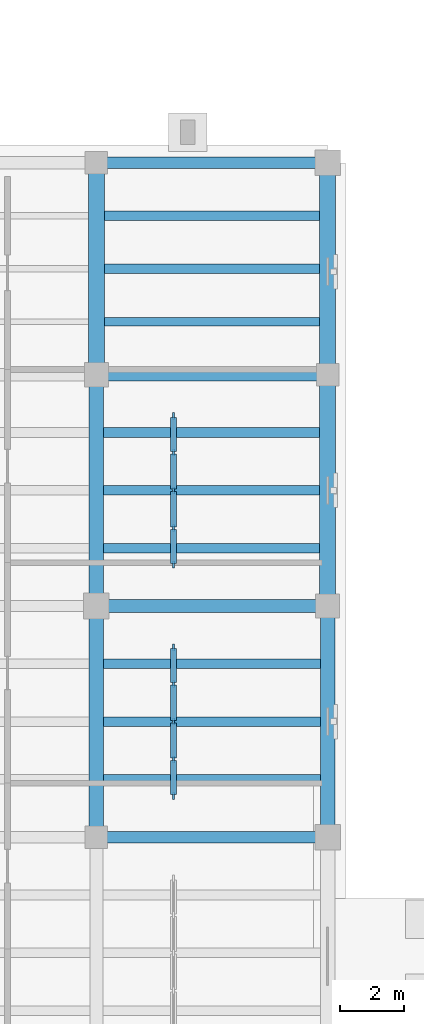
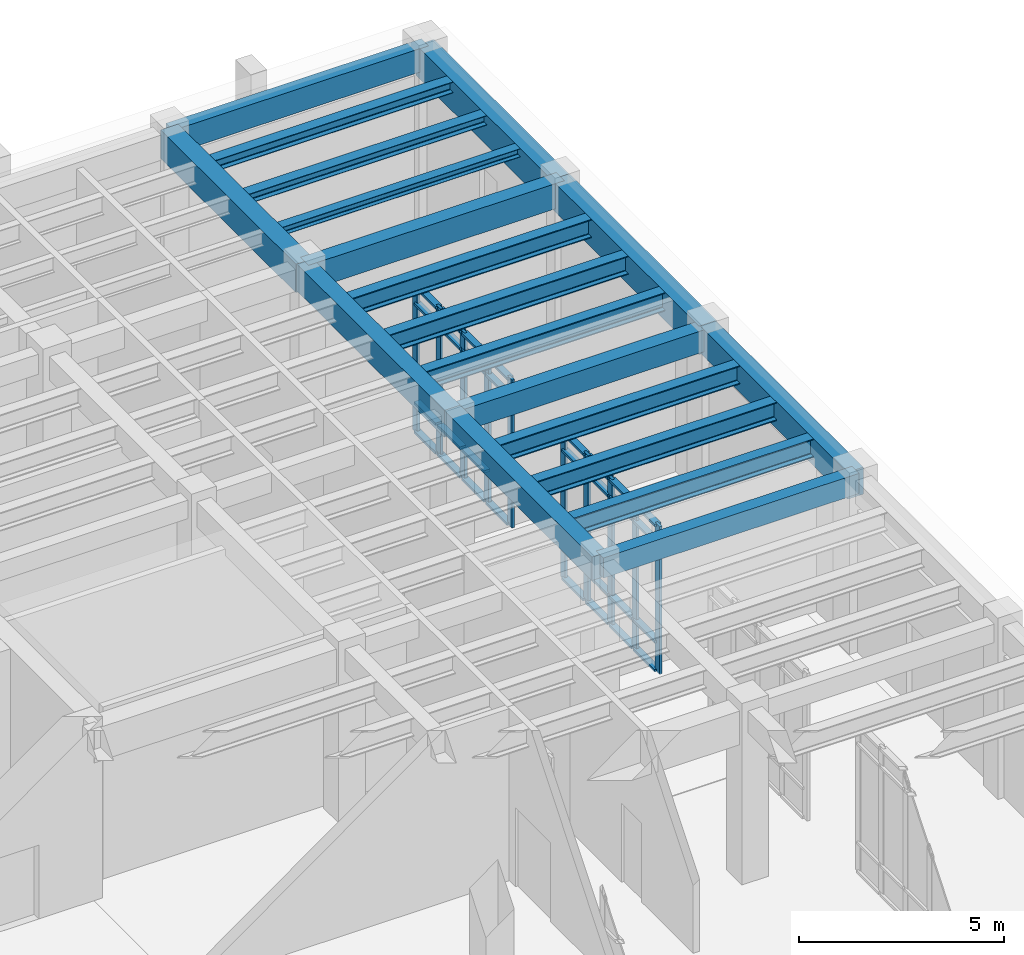
# One storey, part 48 of 100: 42 members, 19 beams, 2 elements without a shape of their own.
"""IFC4 building model written with IfcOpenShell, lengths in metres."""

from ifc_helpers import new_model, si_unit, direction, frame, origin, origin_2d, place, context, subcontext, project, spatial, rectangle, i_section, extrude, material, material_profile, profile_set, type_object, element, aggregate, save


model = new_model("IFC4")

# Units and contexts
model_context = context("Model", 3, precision=1e-05, world=origin(), true_north=direction((0.0, 1.0)))
body_context = subcontext(model_context, "Body", "Model", "MODEL_VIEW")
ifc_project = project(units=[si_unit("LENGTHUNIT", "METRE"), si_unit("AREAUNIT", "SQUARE_METRE"), si_unit("VOLUMEUNIT", "CUBIC_METRE"), si_unit("PLANEANGLEUNIT", "RADIAN"), si_unit("MASSUNIT", "GRAM", prefix="KILO")], contexts=[model_context])

# Site, building, storey
site_placement = place(None, origin())
site = spatial("IfcSite", under=ifc_project, at=site_placement, CompositionType="ELEMENT")
building_placement = place(site_placement, origin())
building = spatial("IfcBuilding", under=site, at=building_placement, Name="Mithqara Police Headquarters", CompositionType="ELEMENT")
storey_placement = place(building_placement, origin())
storey = spatial("IfcBuildingStorey", under=building, at=storey_placement, Name="L00", CompositionType="ELEMENT", Elevation=0.0)

# Beams
ifc_material_1 = material(Name="Steel S355JR", Category="steel")
ifc_material_profile_1 = material_profile(ifc_material_1, i_section(OverallWidth=0.300048828125, OverallDepth=0.550048828125, WebThickness=0.014892578125, FlangeThickness=0.029052734375, FilletRadius=0.027099609375, at=origin_2d()), Name="HEB 550")
ifc_profile_set_1 = profile_set([ifc_material_profile_1], Name="Steel S355JR")
beam_type_1 = type_object("IfcBeamType", Name="BEAM HEB550", PredefinedType="BEAM", material=ifc_profile_set_1)
for number, where, z_axis, x_axis, name in (
    (1, (159.22509765625, 94.800048828125, 4.844970703125), (1.0, 0.0, 0.0), (0.0, 1.0, 0.0), "L00 Composite Steel Joist 23-24/P.1"),
    (2, (159.22509765625, 96.60009765625, 4.844970703125), (1.0, 0.0, 0.0), (0.0, 1.0, 0.0), "L00 Composite Steel Joist 23-24/P.2"),
    (3, (159.22509765625, 98.39990234375, 4.844970703125), (1.0, 0.0, 0.0), (0.0, 1.0, 0.0), "L00 Composite Steel Joist 23-24/P.3"),
):
    element("IfcBeam", number, at=place(storey_placement, frame(where, z_axis=z_axis, x_axis=x_axis)), inside=storey, type_object=beam_type_1, Name=name, PredefinedType="BEAM", context=body_context, shape_type="SweptSolid", body=[
        extrude(i_section(OverallWidth=0.300048828125, OverallDepth=0.550048828125, WebThickness=0.014892578125, FlangeThickness=0.029052734375, FilletRadius=0.027099609375, at=origin_2d()), origin(), (0.0, 0.0, 1.0), 6.75),
    ])
for number, where, z_axis, x_axis, name in (
    (4, (159.22509765625, 102.0, 4.844970703125), (1.0, 0.0, 0.0), (0.0, 1.0, 0.0), "L00 Composite Steel Joist 23-24/Q.1"),
    (5, (159.22509765625, 103.800048828125, 4.844970703125), (1.0, 0.0, 0.0), (0.0, 1.0, 0.0), "L00 Composite Steel Joist 23-24/Q.2"),
    (6, (159.22509765625, 105.60009765625, 4.844970703125), (1.0, 0.0, 0.0), (0.0, 1.0, 0.0), "L00 Composite Steel Joist 23-24/Q.3"),
):
    element("IfcBeam", number, at=place(storey_placement, frame(where, z_axis=z_axis, x_axis=x_axis)), inside=storey, type_object=beam_type_1, Name=name, PredefinedType="BEAM", context=body_context, shape_type="SweptSolid", body=[
        extrude(i_section(OverallWidth=0.300048828125, OverallDepth=0.550048828125, WebThickness=0.014892578125, FlangeThickness=0.029052734375, FilletRadius=0.027099609375, at=origin_2d()), origin(), (0.0, 0.0, 1.0), 6.724853515625),
    ])
ifc_material_2 = material(Name="Concrete C40/50", Category="concrete")
ifc_material_profile_2 = material_profile(ifc_material_2, rectangle(XDim=0.35009765625, YDim=0.60009765625, at=origin_2d()), Name="RC 350x600")
ifc_profile_set_2 = profile_set([ifc_material_profile_2], Name="Concrete C40/50")
beam_type_2 = type_object("IfcBeamType", Name="BEAM RC350X600", PredefinedType="BEAM", material=ifc_profile_set_2)
beam_1_placement = place(storey_placement, frame((159.0, 93.0, 4.820068359375), z_axis=(1.0, 0.0, 0.0), x_axis=(0.0, 1.0, 0.0)))
element("IfcBeam", 7, at=beam_1_placement, inside=storey, type_object=beam_type_2, Name="L00 Girder 23-24/P", PredefinedType="BEAM", context=body_context, shape_type="SweptSolid", body=[
    extrude(rectangle(XDim=0.35009765625, YDim=0.60009765625, at=origin_2d()), origin(), (0.0, 0.0, 1.0), 7.199951171875),
])
ifc_material_profile_3 = material_profile(ifc_material_2, rectangle(XDim=0.39990234375, YDim=0.64990234375, at=origin_2d()), Name="RC 400x650")
ifc_profile_set_3 = profile_set([ifc_material_profile_3], Name="Concrete C40/50")
beam_type_3 = type_object("IfcBeamType", Name="BEAM RC400X650", PredefinedType="BEAM", material=ifc_profile_set_3)
beam_2_placement = place(storey_placement, frame((159.0, 100.199951171875, 4.794921875), z_axis=(1.0, 0.0, 0.0), x_axis=(0.0, 1.0, 0.0)))
element("IfcBeam", 8, at=beam_2_placement, inside=storey, type_object=beam_type_3, Name="L00 Girder 23-24/Q", PredefinedType="BEAM", context=body_context, shape_type="SweptSolid", body=[
    extrude(rectangle(XDim=0.39990234375, YDim=0.64990234375, at=origin_2d()), origin(), (0.0, 0.0, 1.0), 7.199951171875),
])
ifc_material_profile_4 = material_profile(ifc_material_2, rectangle(XDim=0.39990234375, YDim=0.75, at=origin_2d()), Name="RC 400x750")
ifc_profile_set_4 = profile_set([ifc_material_profile_4], Name="Concrete C40/50")
beam_type_4 = type_object("IfcBeamType", Name="BEAM RC400X750", PredefinedType="BEAM", material=ifc_profile_set_4)
beam_3_placement = place(storey_placement, frame((159.0, 107.39990234375, 4.7451171875), z_axis=(1.0, 0.0, 0.0), x_axis=(0.0, 1.0, 0.0)))
element("IfcBeam", 9, at=beam_3_placement, inside=storey, type_object=beam_type_4, Name="L00 Girder 23-24/R", PredefinedType="BEAM", context=body_context, shape_type="SweptSolid", body=[
    extrude(rectangle(XDim=0.39990234375, YDim=0.75, at=origin_2d()), origin(), (0.0, 0.0, 1.0), 7.199951171875),
])
ifc_material_profile_5 = material_profile(ifc_material_2, rectangle(XDim=0.449951171875, YDim=0.699951171875, at=origin_2d()), Name="RC 450x700")
ifc_profile_set_5 = profile_set([ifc_material_profile_5], Name="Concrete C40/50")
beam_type_5 = type_object("IfcBeamType", Name="BEAM RC450X700", PredefinedType="BEAM", material=ifc_profile_set_5)
beam_4_placement = place(storey_placement, frame((159.0, 93.0, 4.77001953125), z_axis=(0.0, 1.0, 0.0), x_axis=(-1.0, 0.0, 0.0)))
element("IfcBeam", 10, at=beam_4_placement, inside=storey, type_object=beam_type_5, Name="L00 Girder 23/P-Q", PredefinedType="BEAM", context=body_context, shape_type="SweptSolid", body=[
    extrude(rectangle(XDim=0.449951171875, YDim=0.699951171875, at=origin_2d()), origin(), (0.0, 0.0, 1.0), 7.199951171875),
])
ifc_material_profile_6 = material_profile(ifc_material_2, rectangle(XDim=0.449951171875, YDim=0.800048828125, at=origin_2d()), Name="RC 450x800")
ifc_profile_set_6 = profile_set([ifc_material_profile_6], Name="Concrete C40/50")
beam_type_6 = type_object("IfcBeamType", Name="BEAM RC450X800", PredefinedType="BEAM", material=ifc_profile_set_6)
for number, where, z_axis, x_axis, name in (
    (11, (159.0, 100.199951171875, 4.719970703125), (0.0, 1.0, 0.0), (-1.0, 0.0, 0.0), "L00 Girder 23/Q-R"),
    (12, (166.199951171875, 93.0, 4.719970703125), (0.0, 1.0, 0.0), (-1.0, 0.0, 0.0), "L00 Girder 24/P-Q"),
):
    element("IfcBeam", number, at=place(storey_placement, frame(where, z_axis=z_axis, x_axis=x_axis)), inside=storey, type_object=beam_type_6, Name=name, PredefinedType="BEAM", context=body_context, shape_type="SweptSolid", body=[
        extrude(rectangle(XDim=0.449951171875, YDim=0.800048828125, at=origin_2d()), origin(), (0.0, 0.0, 1.0), 7.199951171875),
    ])
ifc_material_profile_7 = material_profile(ifc_material_2, rectangle(XDim=0.5, YDim=0.85009765625, at=origin_2d()), Name="RC 500x850")
ifc_profile_set_7 = profile_set([ifc_material_profile_7], Name="Concrete C40/50")
beam_type_7 = type_object("IfcBeamType", Name="BEAM RC500X850", PredefinedType="BEAM", material=ifc_profile_set_7)
beam_5_placement = place(storey_placement, frame((159.0, 107.39990234375, 4.695068359375), z_axis=(0.0, 1.0, 0.0), x_axis=(-1.0, 0.0, 0.0)))
element("IfcBeam", 13, at=beam_5_placement, inside=storey, type_object=beam_type_7, Name="L00 Girder 23/R-S", PredefinedType="BEAM", context=body_context, shape_type="SweptSolid", body=[
    extrude(rectangle(XDim=0.5, YDim=0.85009765625, at=origin_2d()), origin(), (0.0, 0.0, 1.0), 6.60009765625),
])
beam_6_placement = place(storey_placement, frame((166.199951171875, 100.199951171875, 4.695068359375), z_axis=(0.0, 1.0, 0.0), x_axis=(-1.0, 0.0, 0.0)))
element("IfcBeam", 14, at=beam_6_placement, inside=storey, type_object=beam_type_7, Name="L00 Girder 24/Q-R", PredefinedType="BEAM", context=body_context, shape_type="SweptSolid", body=[
    extrude(rectangle(XDim=0.5, YDim=0.85009765625, at=origin_2d()), origin(), (0.0, 0.0, 1.0), 7.199951171875),
])
ifc_material_3 = material(Name="Concrete C50/60", Category="concrete")
ifc_material_profile_8 = material_profile(ifc_material_3, rectangle(XDim=0.5, YDim=0.89990234375, at=origin_2d()), Name="RC 500x900")
ifc_profile_set_8 = profile_set([ifc_material_profile_8], Name="Concrete C50/60")
beam_type_8 = type_object("IfcBeamType", Name="BEAM RC500X900", PredefinedType="BEAM", material=ifc_profile_set_8)
beam_7_placement = place(storey_placement, frame((166.199951171875, 107.39990234375, 4.669921875), z_axis=(0.0, 1.0, 0.0), x_axis=(-1.0, 0.0, 0.0)))
element("IfcBeam", 15, at=beam_7_placement, inside=storey, type_object=beam_type_8, Name="L00 Girder 24/R-S", PredefinedType="BEAM", context=body_context, shape_type="SweptSolid", body=[
    extrude(rectangle(XDim=0.5, YDim=0.89990234375, at=origin_2d()), origin(), (0.0, 0.0, 1.0), 6.60009765625),
])

# Curtain wall, members
ifc_material_4 = material(Name="Bronze anodised aluminium 6063-T6", Category="aluminium")
curtain_wall_type = type_object("IfcCurtainWallType", Name="CURTAIN WALL 4700X4400", PredefinedType="USERDEFINED", material=ifc_material_4)
curtain_wall_1_placement = place(storey_placement, origin())
curtain_wall_1 = element("IfcCurtainWall", 16, at=curtain_wall_1_placement, inside=storey, type_object=curtain_wall_type, Name="L00 Unitised Glazing CW-14 (CW-INT-L00-X22-Y13-0)", ObjectType="UNITISED GLAZING", PredefinedType="USERDEFINED")
ifc_material_profile_9 = material_profile(ifc_material_4, rectangle(XDim=0.074951171875, YDim=0.219970703125, at=origin_2d()), Name="CWM 75x220")
ifc_profile_set_9 = profile_set([ifc_material_profile_9], Name="Bronze anodised aluminium 6063-T6")
member_type_1 = type_object("IfcMemberType", Name="CWMULLION 75X220", PredefinedType="MULLION", material=ifc_profile_set_9)
member_1_placement = place(storey_placement, frame((161.39990234375, 94.28759765625, 0.0), z_axis=(0.0, 0.0, 1.0), x_axis=(-1.0, 0.0, 0.0)))
member_1 = element("IfcMember", 17, at=member_1_placement, type_object=member_type_1, Name="CW-14 mullion 1", PredefinedType="MULLION", context=body_context, shape_type="SweptSolid", body=[
    extrude(rectangle(XDim=0.074951171875, YDim=0.219970703125, at=origin_2d()), origin(), (0.0, 0.0, 1.0), 4.39990234375),
])
member_2_placement = place(storey_placement, frame((161.39990234375, 95.425048828125, 0.0), z_axis=(0.0, 0.0, 1.0), x_axis=(-1.0, 0.0, 0.0)))
member_2 = element("IfcMember", 18, at=member_2_placement, type_object=member_type_1, Name="CW-14 mullion 2", PredefinedType="MULLION", context=body_context, shape_type="SweptSolid", body=[
    extrude(rectangle(XDim=0.074951171875, YDim=0.219970703125, at=origin_2d()), origin(), (0.0, 0.0, 1.0), 4.39990234375),
])
member_3_placement = place(storey_placement, frame((161.39990234375, 96.60009765625, 0.0), z_axis=(0.0, 0.0, 1.0), x_axis=(-1.0, 0.0, 0.0)))
member_3 = element("IfcMember", 19, at=member_3_placement, type_object=member_type_1, Name="CW-14 mullion 3", PredefinedType="MULLION", context=body_context, shape_type="SweptSolid", body=[
    extrude(rectangle(XDim=0.074951171875, YDim=0.219970703125, at=origin_2d()), origin(), (0.0, 0.0, 1.0), 4.39990234375),
])
member_4_placement = place(storey_placement, frame((161.39990234375, 97.77490234375, 0.0), z_axis=(0.0, 0.0, 1.0), x_axis=(-1.0, 0.0, 0.0)))
member_4 = element("IfcMember", 20, at=member_4_placement, type_object=member_type_1, Name="CW-14 mullion 4", PredefinedType="MULLION", context=body_context, shape_type="SweptSolid", body=[
    extrude(rectangle(XDim=0.074951171875, YDim=0.219970703125, at=origin_2d()), origin(), (0.0, 0.0, 1.0), 4.39990234375),
])
member_5_placement = place(storey_placement, frame((161.39990234375, 98.91259765625, 0.0), z_axis=(0.0, 0.0, 1.0), x_axis=(-1.0, 0.0, 0.0)))
member_5 = element("IfcMember", 21, at=member_5_placement, type_object=member_type_1, Name="CW-14 mullion 5", PredefinedType="MULLION", context=body_context, shape_type="SweptSolid", body=[
    extrude(rectangle(XDim=0.074951171875, YDim=0.219970703125, at=origin_2d()), origin(), (0.0, 0.0, 1.0), 4.39990234375),
])

curtain_wall_2_placement = place(storey_placement, origin())
curtain_wall_2 = element("IfcCurtainWall", 22, at=curtain_wall_2_placement, inside=storey, type_object=curtain_wall_type, Name="L00 Unitised Glazing CW-14 (CW-INT-L00-X22-Y14-0)", ObjectType="UNITISED GLAZING", PredefinedType="USERDEFINED")
member_6_placement = place(storey_placement, frame((161.39990234375, 101.487548828125, 0.0), z_axis=(0.0, 0.0, 1.0), x_axis=(-1.0, 0.0, 0.0)))
member_6 = element("IfcMember", 23, at=member_6_placement, type_object=member_type_1, Name="CW-14 mullion 1", PredefinedType="MULLION", context=body_context, shape_type="SweptSolid", body=[
    extrude(rectangle(XDim=0.074951171875, YDim=0.219970703125, at=origin_2d()), origin(), (0.0, 0.0, 1.0), 4.39990234375),
])
member_7_placement = place(storey_placement, frame((161.39990234375, 102.625, 0.0), z_axis=(0.0, 0.0, 1.0), x_axis=(-1.0, 0.0, 0.0)))
member_7 = element("IfcMember", 24, at=member_7_placement, type_object=member_type_1, Name="CW-14 mullion 2", PredefinedType="MULLION", context=body_context, shape_type="SweptSolid", body=[
    extrude(rectangle(XDim=0.074951171875, YDim=0.219970703125, at=origin_2d()), origin(), (0.0, 0.0, 1.0), 4.39990234375),
])
member_8_placement = place(storey_placement, frame((161.39990234375, 103.800048828125, 0.0), z_axis=(0.0, 0.0, 1.0), x_axis=(-1.0, 0.0, 0.0)))
member_8 = element("IfcMember", 25, at=member_8_placement, type_object=member_type_1, Name="CW-14 mullion 3", PredefinedType="MULLION", context=body_context, shape_type="SweptSolid", body=[
    extrude(rectangle(XDim=0.074951171875, YDim=0.219970703125, at=origin_2d()), origin(), (0.0, 0.0, 1.0), 4.39990234375),
])
member_9_placement = place(storey_placement, frame((161.39990234375, 104.97509765625, 0.0), z_axis=(0.0, 0.0, 1.0), x_axis=(-1.0, 0.0, 0.0)))
member_9 = element("IfcMember", 26, at=member_9_placement, type_object=member_type_1, Name="CW-14 mullion 4", PredefinedType="MULLION", context=body_context, shape_type="SweptSolid", body=[
    extrude(rectangle(XDim=0.074951171875, YDim=0.219970703125, at=origin_2d()), origin(), (0.0, 0.0, 1.0), 4.39990234375),
])
member_10_placement = place(storey_placement, frame((161.39990234375, 106.112548828125, 0.0), z_axis=(0.0, 0.0, 1.0), x_axis=(-1.0, 0.0, 0.0)))
member_10 = element("IfcMember", 27, at=member_10_placement, type_object=member_type_1, Name="CW-14 mullion 5", PredefinedType="MULLION", context=body_context, shape_type="SweptSolid", body=[
    extrude(rectangle(XDim=0.074951171875, YDim=0.219970703125, at=origin_2d()), origin(), (0.0, 0.0, 1.0), 4.39990234375),
])

# Member
ifc_material_profile_10 = material_profile(ifc_material_4, rectangle(XDim=0.179931640625, YDim=0.074951171875, at=origin_2d()), Name="CWT 180x75")
ifc_profile_set_10 = profile_set([ifc_material_profile_10], Name="Bronze anodised aluminium 6063-T6")
member_type_2 = type_object("IfcMemberType", Name="CWTRANSOM 180X75", PredefinedType="USERDEFINED", material=ifc_profile_set_10)
member_11_placement = place(storey_placement, frame((161.39990234375, 94.324951171875, 0.03759765625), z_axis=(0.0, 1.0, 0.0), x_axis=(-1.0, 0.0, 0.0)))
member_11 = element("IfcMember", 28, at=member_11_placement, type_object=member_type_2, Name="CW-14 transom 1.1", ObjectType="TRANSOM", PredefinedType="USERDEFINED", context=body_context, shape_type="SweptSolid", body=[
    extrude(rectangle(XDim=0.179931640625, YDim=0.074951171875, at=origin_2d()), origin(), (0.0, 0.0, 1.0), 1.0625),
])

member_12_placement = place(storey_placement, frame((161.39990234375, 94.324951171875, 0.89990234375), z_axis=(0.0, 1.0, 0.0), x_axis=(-1.0, 0.0, 0.0)))
member_12 = element("IfcMember", 29, at=member_12_placement, type_object=member_type_2, Name="CW-14 transom 1.2", ObjectType="TRANSOM", PredefinedType="USERDEFINED", context=body_context, shape_type="SweptSolid", body=[
    extrude(rectangle(XDim=0.179931640625, YDim=0.074951171875, at=origin_2d()), origin(), (0.0, 0.0, 1.0), 1.0625),
])

member_13_placement = place(storey_placement, frame((161.39990234375, 94.324951171875, 3.85009765625), z_axis=(0.0, 1.0, 0.0), x_axis=(-1.0, 0.0, 0.0)))
member_13 = element("IfcMember", 30, at=member_13_placement, type_object=member_type_2, Name="CW-14 transom 1.3", ObjectType="TRANSOM", PredefinedType="USERDEFINED", context=body_context, shape_type="SweptSolid", body=[
    extrude(rectangle(XDim=0.179931640625, YDim=0.074951171875, at=origin_2d()), origin(), (0.0, 0.0, 1.0), 1.0625),
])

member_14_placement = place(storey_placement, frame((161.39990234375, 94.324951171875, 4.362548828125), z_axis=(0.0, 1.0, 0.0), x_axis=(-1.0, 0.0, 0.0)))
member_14 = element("IfcMember", 31, at=member_14_placement, type_object=member_type_2, Name="CW-14 transom 1.4", ObjectType="TRANSOM", PredefinedType="USERDEFINED", context=body_context, shape_type="SweptSolid", body=[
    extrude(rectangle(XDim=0.179931640625, YDim=0.074951171875, at=origin_2d()), origin(), (0.0, 0.0, 1.0), 1.0625),
])

member_15_placement = place(storey_placement, frame((161.39990234375, 95.46240234375, 0.03759765625), z_axis=(0.0, 1.0, 0.0), x_axis=(-1.0, 0.0, 0.0)))
member_15 = element("IfcMember", 32, at=member_15_placement, type_object=member_type_2, Name="CW-14 transom 2.1", ObjectType="TRANSOM", PredefinedType="USERDEFINED", context=body_context, shape_type="SweptSolid", body=[
    extrude(rectangle(XDim=0.179931640625, YDim=0.074951171875, at=origin_2d()), origin(), (0.0, 0.0, 1.0), 1.10009765625),
])

member_16_placement = place(storey_placement, frame((161.39990234375, 95.46240234375, 0.89990234375), z_axis=(0.0, 1.0, 0.0), x_axis=(-1.0, 0.0, 0.0)))
member_16 = element("IfcMember", 33, at=member_16_placement, type_object=member_type_2, Name="CW-14 transom 2.2", ObjectType="TRANSOM", PredefinedType="USERDEFINED", context=body_context, shape_type="SweptSolid", body=[
    extrude(rectangle(XDim=0.179931640625, YDim=0.074951171875, at=origin_2d()), origin(), (0.0, 0.0, 1.0), 1.10009765625),
])

member_17_placement = place(storey_placement, frame((161.39990234375, 95.46240234375, 3.85009765625), z_axis=(0.0, 1.0, 0.0), x_axis=(-1.0, 0.0, 0.0)))
member_17 = element("IfcMember", 34, at=member_17_placement, type_object=member_type_2, Name="CW-14 transom 2.3", ObjectType="TRANSOM", PredefinedType="USERDEFINED", context=body_context, shape_type="SweptSolid", body=[
    extrude(rectangle(XDim=0.179931640625, YDim=0.074951171875, at=origin_2d()), origin(), (0.0, 0.0, 1.0), 1.10009765625),
])

member_18_placement = place(storey_placement, frame((161.39990234375, 95.46240234375, 4.362548828125), z_axis=(0.0, 1.0, 0.0), x_axis=(-1.0, 0.0, 0.0)))
member_18 = element("IfcMember", 35, at=member_18_placement, type_object=member_type_2, Name="CW-14 transom 2.4", ObjectType="TRANSOM", PredefinedType="USERDEFINED", context=body_context, shape_type="SweptSolid", body=[
    extrude(rectangle(XDim=0.179931640625, YDim=0.074951171875, at=origin_2d()), origin(), (0.0, 0.0, 1.0), 1.10009765625),
])

member_19_placement = place(storey_placement, frame((161.39990234375, 96.637451171875, 0.03759765625), z_axis=(0.0, 1.0, 0.0), x_axis=(-1.0, 0.0, 0.0)))
member_19 = element("IfcMember", 36, at=member_19_placement, type_object=member_type_2, Name="CW-14 transom 3.1", ObjectType="TRANSOM", PredefinedType="USERDEFINED", context=body_context, shape_type="SweptSolid", body=[
    extrude(rectangle(XDim=0.179931640625, YDim=0.074951171875, at=origin_2d()), origin(), (0.0, 0.0, 1.0), 1.10009765625),
])

member_20_placement = place(storey_placement, frame((161.39990234375, 96.637451171875, 0.89990234375), z_axis=(0.0, 1.0, 0.0), x_axis=(-1.0, 0.0, 0.0)))
member_20 = element("IfcMember", 37, at=member_20_placement, type_object=member_type_2, Name="CW-14 transom 3.2", ObjectType="TRANSOM", PredefinedType="USERDEFINED", context=body_context, shape_type="SweptSolid", body=[
    extrude(rectangle(XDim=0.179931640625, YDim=0.074951171875, at=origin_2d()), origin(), (0.0, 0.0, 1.0), 1.10009765625),
])

member_21_placement = place(storey_placement, frame((161.39990234375, 96.637451171875, 3.85009765625), z_axis=(0.0, 1.0, 0.0), x_axis=(-1.0, 0.0, 0.0)))
member_21 = element("IfcMember", 38, at=member_21_placement, type_object=member_type_2, Name="CW-14 transom 3.3", ObjectType="TRANSOM", PredefinedType="USERDEFINED", context=body_context, shape_type="SweptSolid", body=[
    extrude(rectangle(XDim=0.179931640625, YDim=0.074951171875, at=origin_2d()), origin(), (0.0, 0.0, 1.0), 1.10009765625),
])

member_22_placement = place(storey_placement, frame((161.39990234375, 96.637451171875, 4.362548828125), z_axis=(0.0, 1.0, 0.0), x_axis=(-1.0, 0.0, 0.0)))
member_22 = element("IfcMember", 39, at=member_22_placement, type_object=member_type_2, Name="CW-14 transom 3.4", ObjectType="TRANSOM", PredefinedType="USERDEFINED", context=body_context, shape_type="SweptSolid", body=[
    extrude(rectangle(XDim=0.179931640625, YDim=0.074951171875, at=origin_2d()), origin(), (0.0, 0.0, 1.0), 1.10009765625),
])

member_23_placement = place(storey_placement, frame((161.39990234375, 97.8125, 0.03759765625), z_axis=(0.0, 1.0, 0.0), x_axis=(-1.0, 0.0, 0.0)))
member_23 = element("IfcMember", 40, at=member_23_placement, type_object=member_type_2, Name="CW-14 transom 4.1", ObjectType="TRANSOM", PredefinedType="USERDEFINED", context=body_context, shape_type="SweptSolid", body=[
    extrude(rectangle(XDim=0.179931640625, YDim=0.074951171875, at=origin_2d()), origin(), (0.0, 0.0, 1.0), 1.0625),
])

member_24_placement = place(storey_placement, frame((161.39990234375, 97.8125, 0.89990234375), z_axis=(0.0, 1.0, 0.0), x_axis=(-1.0, 0.0, 0.0)))
member_24 = element("IfcMember", 41, at=member_24_placement, type_object=member_type_2, Name="CW-14 transom 4.2", ObjectType="TRANSOM", PredefinedType="USERDEFINED", context=body_context, shape_type="SweptSolid", body=[
    extrude(rectangle(XDim=0.179931640625, YDim=0.074951171875, at=origin_2d()), origin(), (0.0, 0.0, 1.0), 1.0625),
])

member_25_placement = place(storey_placement, frame((161.39990234375, 97.8125, 3.85009765625), z_axis=(0.0, 1.0, 0.0), x_axis=(-1.0, 0.0, 0.0)))
member_25 = element("IfcMember", 42, at=member_25_placement, type_object=member_type_2, Name="CW-14 transom 4.3", ObjectType="TRANSOM", PredefinedType="USERDEFINED", context=body_context, shape_type="SweptSolid", body=[
    extrude(rectangle(XDim=0.179931640625, YDim=0.074951171875, at=origin_2d()), origin(), (0.0, 0.0, 1.0), 1.0625),
])

member_26_placement = place(storey_placement, frame((161.39990234375, 97.8125, 4.362548828125), z_axis=(0.0, 1.0, 0.0), x_axis=(-1.0, 0.0, 0.0)))
member_26 = element("IfcMember", 43, at=member_26_placement, type_object=member_type_2, Name="CW-14 transom 4.4", ObjectType="TRANSOM", PredefinedType="USERDEFINED", context=body_context, shape_type="SweptSolid", body=[
    extrude(rectangle(XDim=0.179931640625, YDim=0.074951171875, at=origin_2d()), origin(), (0.0, 0.0, 1.0), 1.0625),
])

aggregate(curtain_wall_1, [member_1, member_2, member_3, member_4, member_5, member_11, member_12, member_13, member_14, member_15, member_16, member_17, member_18, member_19, member_20, member_21, member_22, member_23, member_24, member_25, member_26])

member_27_placement = place(storey_placement, frame((161.39990234375, 101.52490234375, 0.03759765625), z_axis=(0.0, 1.0, 0.0), x_axis=(-1.0, 0.0, 0.0)))
member_27 = element("IfcMember", 44, at=member_27_placement, type_object=member_type_2, Name="CW-14 transom 1.1", ObjectType="TRANSOM", PredefinedType="USERDEFINED", context=body_context, shape_type="SweptSolid", body=[
    extrude(rectangle(XDim=0.179931640625, YDim=0.074951171875, at=origin_2d()), origin(), (0.0, 0.0, 1.0), 1.0625),
])

member_28_placement = place(storey_placement, frame((161.39990234375, 101.52490234375, 0.89990234375), z_axis=(0.0, 1.0, 0.0), x_axis=(-1.0, 0.0, 0.0)))
member_28 = element("IfcMember", 45, at=member_28_placement, type_object=member_type_2, Name="CW-14 transom 1.2", ObjectType="TRANSOM", PredefinedType="USERDEFINED", context=body_context, shape_type="SweptSolid", body=[
    extrude(rectangle(XDim=0.179931640625, YDim=0.074951171875, at=origin_2d()), origin(), (0.0, 0.0, 1.0), 1.0625),
])

member_29_placement = place(storey_placement, frame((161.39990234375, 101.52490234375, 3.85009765625), z_axis=(0.0, 1.0, 0.0), x_axis=(-1.0, 0.0, 0.0)))
member_29 = element("IfcMember", 46, at=member_29_placement, type_object=member_type_2, Name="CW-14 transom 1.3", ObjectType="TRANSOM", PredefinedType="USERDEFINED", context=body_context, shape_type="SweptSolid", body=[
    extrude(rectangle(XDim=0.179931640625, YDim=0.074951171875, at=origin_2d()), origin(), (0.0, 0.0, 1.0), 1.0625),
])

member_30_placement = place(storey_placement, frame((161.39990234375, 101.52490234375, 4.362548828125), z_axis=(0.0, 1.0, 0.0), x_axis=(-1.0, 0.0, 0.0)))
member_30 = element("IfcMember", 47, at=member_30_placement, type_object=member_type_2, Name="CW-14 transom 1.4", ObjectType="TRANSOM", PredefinedType="USERDEFINED", context=body_context, shape_type="SweptSolid", body=[
    extrude(rectangle(XDim=0.179931640625, YDim=0.074951171875, at=origin_2d()), origin(), (0.0, 0.0, 1.0), 1.0625),
])

member_31_placement = place(storey_placement, frame((161.39990234375, 102.66259765625, 0.03759765625), z_axis=(0.0, 1.0, 0.0), x_axis=(-1.0, 0.0, 0.0)))
member_31 = element("IfcMember", 48, at=member_31_placement, type_object=member_type_2, Name="CW-14 transom 2.1", ObjectType="TRANSOM", PredefinedType="USERDEFINED", context=body_context, shape_type="SweptSolid", body=[
    extrude(rectangle(XDim=0.179931640625, YDim=0.074951171875, at=origin_2d()), origin(), (0.0, 0.0, 1.0), 1.099853515625),
])

member_32_placement = place(storey_placement, frame((161.39990234375, 102.66259765625, 0.89990234375), z_axis=(0.0, 1.0, 0.0), x_axis=(-1.0, 0.0, 0.0)))
member_32 = element("IfcMember", 49, at=member_32_placement, type_object=member_type_2, Name="CW-14 transom 2.2", ObjectType="TRANSOM", PredefinedType="USERDEFINED", context=body_context, shape_type="SweptSolid", body=[
    extrude(rectangle(XDim=0.179931640625, YDim=0.074951171875, at=origin_2d()), origin(), (0.0, 0.0, 1.0), 1.099853515625),
])

member_33_placement = place(storey_placement, frame((161.39990234375, 102.66259765625, 3.85009765625), z_axis=(0.0, 1.0, 0.0), x_axis=(-1.0, 0.0, 0.0)))
member_33 = element("IfcMember", 50, at=member_33_placement, type_object=member_type_2, Name="CW-14 transom 2.3", ObjectType="TRANSOM", PredefinedType="USERDEFINED", context=body_context, shape_type="SweptSolid", body=[
    extrude(rectangle(XDim=0.179931640625, YDim=0.074951171875, at=origin_2d()), origin(), (0.0, 0.0, 1.0), 1.099853515625),
])

member_34_placement = place(storey_placement, frame((161.39990234375, 102.66259765625, 4.362548828125), z_axis=(0.0, 1.0, 0.0), x_axis=(-1.0, 0.0, 0.0)))
member_34 = element("IfcMember", 51, at=member_34_placement, type_object=member_type_2, Name="CW-14 transom 2.4", ObjectType="TRANSOM", PredefinedType="USERDEFINED", context=body_context, shape_type="SweptSolid", body=[
    extrude(rectangle(XDim=0.179931640625, YDim=0.074951171875, at=origin_2d()), origin(), (0.0, 0.0, 1.0), 1.099853515625),
])

member_35_placement = place(storey_placement, frame((161.39990234375, 103.83740234375, 0.03759765625), z_axis=(0.0, 1.0, 0.0), x_axis=(-1.0, 0.0, 0.0)))
member_35 = element("IfcMember", 52, at=member_35_placement, type_object=member_type_2, Name="CW-14 transom 3.1", ObjectType="TRANSOM", PredefinedType="USERDEFINED", context=body_context, shape_type="SweptSolid", body=[
    extrude(rectangle(XDim=0.179931640625, YDim=0.074951171875, at=origin_2d()), origin(), (0.0, 0.0, 1.0), 1.10009765625),
])

member_36_placement = place(storey_placement, frame((161.39990234375, 103.83740234375, 0.89990234375), z_axis=(0.0, 1.0, 0.0), x_axis=(-1.0, 0.0, 0.0)))
member_36 = element("IfcMember", 53, at=member_36_placement, type_object=member_type_2, Name="CW-14 transom 3.2", ObjectType="TRANSOM", PredefinedType="USERDEFINED", context=body_context, shape_type="SweptSolid", body=[
    extrude(rectangle(XDim=0.179931640625, YDim=0.074951171875, at=origin_2d()), origin(), (0.0, 0.0, 1.0), 1.10009765625),
])

member_37_placement = place(storey_placement, frame((161.39990234375, 103.83740234375, 3.85009765625), z_axis=(0.0, 1.0, 0.0), x_axis=(-1.0, 0.0, 0.0)))
member_37 = element("IfcMember", 54, at=member_37_placement, type_object=member_type_2, Name="CW-14 transom 3.3", ObjectType="TRANSOM", PredefinedType="USERDEFINED", context=body_context, shape_type="SweptSolid", body=[
    extrude(rectangle(XDim=0.179931640625, YDim=0.074951171875, at=origin_2d()), origin(), (0.0, 0.0, 1.0), 1.10009765625),
])

member_38_placement = place(storey_placement, frame((161.39990234375, 103.83740234375, 4.362548828125), z_axis=(0.0, 1.0, 0.0), x_axis=(-1.0, 0.0, 0.0)))
member_38 = element("IfcMember", 55, at=member_38_placement, type_object=member_type_2, Name="CW-14 transom 3.4", ObjectType="TRANSOM", PredefinedType="USERDEFINED", context=body_context, shape_type="SweptSolid", body=[
    extrude(rectangle(XDim=0.179931640625, YDim=0.074951171875, at=origin_2d()), origin(), (0.0, 0.0, 1.0), 1.10009765625),
])

member_39_placement = place(storey_placement, frame((161.39990234375, 105.012451171875, 0.03759765625), z_axis=(0.0, 1.0, 0.0), x_axis=(-1.0, 0.0, 0.0)))
member_39 = element("IfcMember", 56, at=member_39_placement, type_object=member_type_2, Name="CW-14 transom 4.1", ObjectType="TRANSOM", PredefinedType="USERDEFINED", context=body_context, shape_type="SweptSolid", body=[
    extrude(rectangle(XDim=0.179931640625, YDim=0.074951171875, at=origin_2d()), origin(), (0.0, 0.0, 1.0), 1.0625),
])

member_40_placement = place(storey_placement, frame((161.39990234375, 105.012451171875, 0.89990234375), z_axis=(0.0, 1.0, 0.0), x_axis=(-1.0, 0.0, 0.0)))
member_40 = element("IfcMember", 57, at=member_40_placement, type_object=member_type_2, Name="CW-14 transom 4.2", ObjectType="TRANSOM", PredefinedType="USERDEFINED", context=body_context, shape_type="SweptSolid", body=[
    extrude(rectangle(XDim=0.179931640625, YDim=0.074951171875, at=origin_2d()), origin(), (0.0, 0.0, 1.0), 1.0625),
])

member_41_placement = place(storey_placement, frame((161.39990234375, 105.012451171875, 3.85009765625), z_axis=(0.0, 1.0, 0.0), x_axis=(-1.0, 0.0, 0.0)))
member_41 = element("IfcMember", 58, at=member_41_placement, type_object=member_type_2, Name="CW-14 transom 4.3", ObjectType="TRANSOM", PredefinedType="USERDEFINED", context=body_context, shape_type="SweptSolid", body=[
    extrude(rectangle(XDim=0.179931640625, YDim=0.074951171875, at=origin_2d()), origin(), (0.0, 0.0, 1.0), 1.0625),
])

member_42_placement = place(storey_placement, frame((161.39990234375, 105.012451171875, 4.362548828125), z_axis=(0.0, 1.0, 0.0), x_axis=(-1.0, 0.0, 0.0)))
member_42 = element("IfcMember", 59, at=member_42_placement, type_object=member_type_2, Name="CW-14 transom 4.4", ObjectType="TRANSOM", PredefinedType="USERDEFINED", context=body_context, shape_type="SweptSolid", body=[
    extrude(rectangle(XDim=0.179931640625, YDim=0.074951171875, at=origin_2d()), origin(), (0.0, 0.0, 1.0), 1.0625),
])

aggregate(curtain_wall_2, [member_6, member_7, member_8, member_9, member_10, member_27, member_28, member_29, member_30, member_31, member_32, member_33, member_34, member_35, member_36, member_37, member_38, member_39, member_40, member_41, member_42])

# Beams
ifc_material_profile_11 = material_profile(ifc_material_1, i_section(OverallWidth=0.260009765625, OverallDepth=0.25, WebThickness=0.007568359375, FlangeThickness=0.012451171875, FilletRadius=0.02392578125, at=origin_2d()), Name="HEA 260")
ifc_profile_set_11 = profile_set([ifc_material_profile_11], Name="Steel S355JR")
beam_type_9 = type_object("IfcBeamType", Name="JOIST HEA260", PredefinedType="JOIST", material=ifc_profile_set_11)
beam_8_placement = place(storey_placement, frame((159.25, 109.050048828125, 4.9951171875), z_axis=(1.0, 0.0, 0.0), x_axis=(0.0, 1.0, 0.0)))
element("IfcBeam", 60, at=beam_8_placement, inside=storey, type_object=beam_type_9, Name="L00 Composite Steel Joist 23-24/R.1", PredefinedType="JOIST", context=body_context, shape_type="SweptSolid", body=[
    extrude(i_section(OverallWidth=0.260009765625, OverallDepth=0.25, WebThickness=0.007568359375, FlangeThickness=0.012451171875, FilletRadius=0.02392578125, at=origin_2d()), origin(), (0.0, 0.0, 1.0), 6.699951171875),
])
ifc_material_profile_12 = material_profile(ifc_material_1, i_section(OverallWidth=0.300048828125, OverallDepth=0.2900390625, WebThickness=0.008544921875, FlangeThickness=0.013916015625, FilletRadius=0.027099609375, at=origin_2d()), Name="HEA 300")
ifc_profile_set_12 = profile_set([ifc_material_profile_12], Name="Steel S355JR")
beam_type_10 = type_object("IfcBeamType", Name="JOIST HEA300", PredefinedType="JOIST", material=ifc_profile_set_12)
beam_9_placement = place(storey_placement, frame((159.25, 110.699951171875, 4.97509765625), z_axis=(1.0, 0.0, 0.0), x_axis=(0.0, 1.0, 0.0)))
element("IfcBeam", 61, at=beam_9_placement, inside=storey, type_object=beam_type_10, Name="L00 Composite Steel Joist 23-24/R.2", PredefinedType="JOIST", context=body_context, shape_type="SweptSolid", body=[
    extrude(i_section(OverallWidth=0.300048828125, OverallDepth=0.2900390625, WebThickness=0.008544921875, FlangeThickness=0.013916015625, FilletRadius=0.027099609375, at=origin_2d()), origin(), (0.0, 0.0, 1.0), 6.699951171875),
])
ifc_material_profile_13 = material_profile(ifc_material_1, i_section(OverallWidth=0.300048828125, OverallDepth=0.330078125, WebThickness=0.009521484375, FlangeThickness=0.0166015625, FilletRadius=0.027099609375, at=origin_2d()), Name="HEA 340")
ifc_profile_set_13 = profile_set([ifc_material_profile_13], Name="Steel S355JR")
beam_type_11 = type_object("IfcBeamType", Name="JOIST HEA340", PredefinedType="JOIST", material=ifc_profile_set_13)
beam_10_placement = place(storey_placement, frame((159.25, 112.35009765625, 4.955078125), z_axis=(1.0, 0.0, 0.0), x_axis=(0.0, 1.0, 0.0)))
element("IfcBeam", 62, at=beam_10_placement, inside=storey, type_object=beam_type_11, Name="L00 Composite Steel Joist 23-24/R.3", PredefinedType="JOIST", context=body_context, shape_type="SweptSolid", body=[
    extrude(i_section(OverallWidth=0.300048828125, OverallDepth=0.330078125, WebThickness=0.009521484375, FlangeThickness=0.0166015625, FilletRadius=0.027099609375, at=origin_2d()), origin(), (0.0, 0.0, 1.0), 6.699951171875),
])
ifc_material_profile_14 = material_profile(ifc_material_2, rectangle(XDim=0.35009765625, YDim=0.699951171875, at=origin_2d()), Name="SPB 350x700")
ifc_profile_set_14 = profile_set([ifc_material_profile_14], Name="Concrete C40/50")
beam_type_12 = type_object("IfcBeamType", Name="SPANDREL 350X700", PredefinedType="SPANDREL", material=ifc_profile_set_14)
beam_11_placement = place(storey_placement, frame((159.0, 114.0, 4.77001953125), z_axis=(1.0, 0.0, 0.0), x_axis=(0.0, 1.0, 0.0)))
element("IfcBeam", 63, at=beam_11_placement, inside=storey, type_object=beam_type_12, Name="L00 Girder 23-24/S", PredefinedType="SPANDREL", context=body_context, shape_type="SweptSolid", body=[
    extrude(rectangle(XDim=0.35009765625, YDim=0.699951171875, at=origin_2d()), origin(), (0.0, 0.0, 1.0), 7.199951171875),
])

save(model, "model.ifc")
